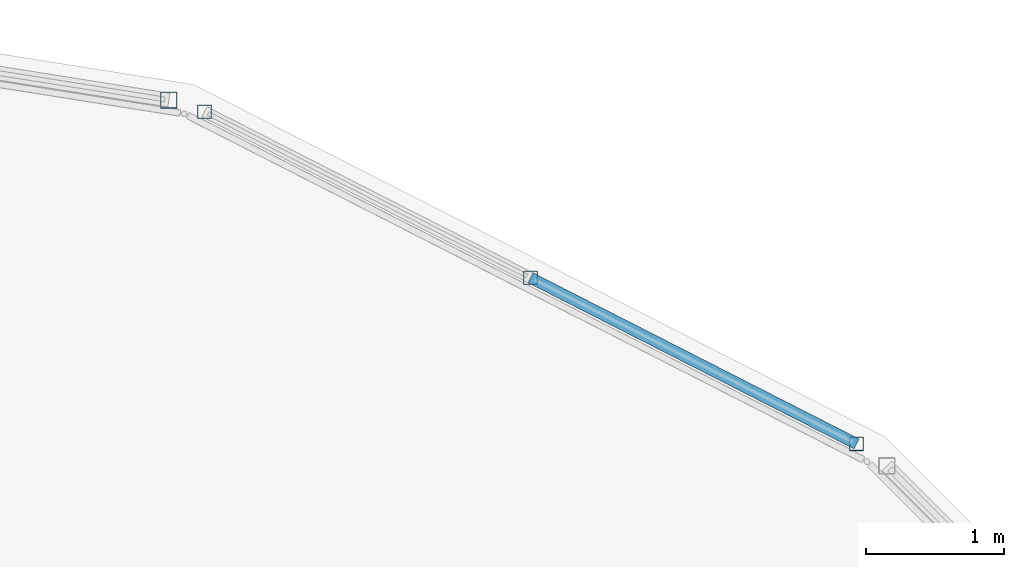
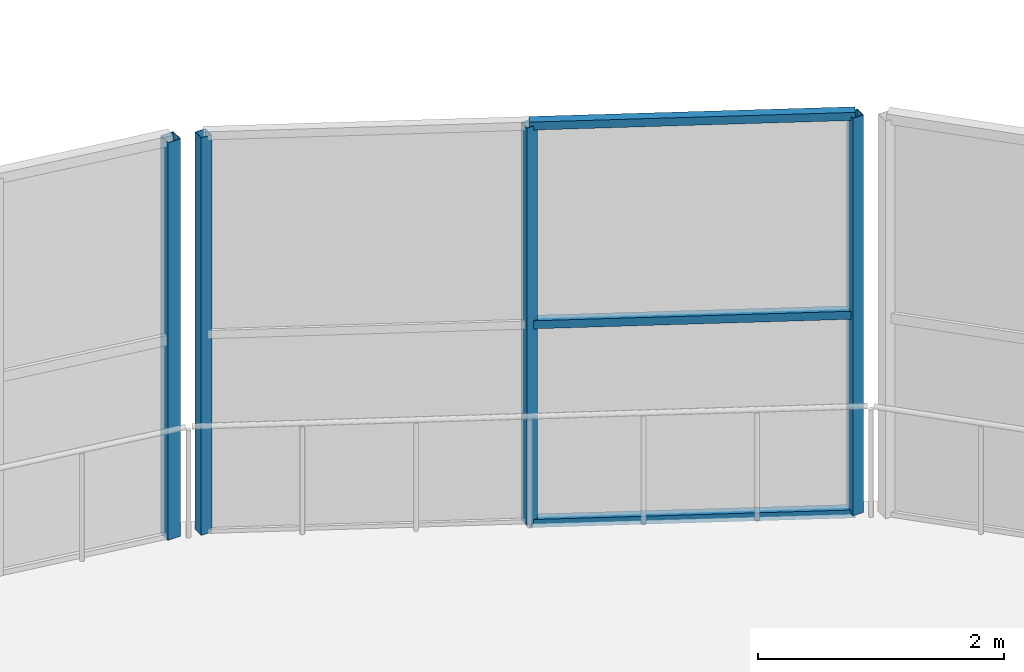
# One storey, part 161 of 217: 7 members, 2 elements without a shape of their own.
"""IFC4 building model written with IfcOpenShell, lengths in metres."""

from ifc_helpers import new_model, si_unit, direction, frame, origin, origin_2d, place, context, subcontext, project, spatial, hollow_rectangle, extrude, material, material_profile, profile_set, type_object, element, aggregate, save


model = new_model("IFC4")

# Units and contexts
model_context = context("Model", 3, precision=1e-05, world=origin(), true_north=direction((0.0, 1.0)))
body_context = subcontext(model_context, "Body", "Model", "MODEL_VIEW")
ifc_project = project(units=[si_unit("LENGTHUNIT", "METRE"), si_unit("AREAUNIT", "SQUARE_METRE"), si_unit("VOLUMEUNIT", "CUBIC_METRE"), si_unit("PLANEANGLEUNIT", "RADIAN"), si_unit("MASSUNIT", "GRAM", prefix="KILO")], contexts=[model_context])

# Site, building, storey
site_placement = place(None, origin())
site = spatial("IfcSite", under=ifc_project, at=site_placement, CompositionType="ELEMENT")
building_placement = place(site_placement, origin())
building = spatial("IfcBuilding", under=site, at=building_placement, Name="Zuvorla Pavilion Media Centre", CompositionType="ELEMENT")
storey_placement = place(building_placement, frame((0.0, 0.0, 9.60009765625)))
storey = spatial("IfcBuildingStorey", under=building, at=storey_placement, Name="L02", CompositionType="ELEMENT", Elevation=9.60009765625)

# Curtain wall, members
ifc_material_1 = material(Name="Unitised anodised aluminium and solar glass curtain wall", Category="aluminium")
curtain_wall_type_1 = type_object("IfcCurtainWallType", Name="CW-SYS-04", PredefinedType="USERDEFINED", material=ifc_material_1)
curtain_wall_1_placement = place(storey_placement, origin())
curtain_wall_1 = element("IfcCurtainWall", 1, at=curtain_wall_1_placement, inside=storey, type_object=curtain_wall_type_1, Name="L02 curtain wall CW04 10", ObjectType="CURTAIN WALL", PredefinedType="USERDEFINED")
ifc_material_2 = material(Name="Anodised aluminium 6063-T6", Category="aluminium")
ifc_material_profile_1 = material_profile(ifc_material_2, hollow_rectangle(XDim=0.10009765625, YDim=0.10009765625, WallThickness=0.00439453125, at=origin_2d()), Name="ALU MULL 100x100")
ifc_profile_set_1 = profile_set([ifc_material_profile_1], Name="Anodised aluminium 6063-T6")
member_type_1 = type_object("IfcMemberType", Name="CW-MULL-100", PredefinedType="MULLION", material=ifc_profile_set_1)
member_1_placement = place(storey_placement, frame((167.77392578125, 86.110107421875, 0.0), z_axis=(0.0, 0.0, 1.0), x_axis=(1.0, 0.0, 0.0)))
member_1 = element("IfcMember", 2, at=member_1_placement, type_object=member_type_1, Name="CW04 mullion 1", PredefinedType="MULLION", context=body_context, shape_type="SweptSolid", body=[
    extrude(hollow_rectangle(XDim=0.10009765625, YDim=0.10009765625, WallThickness=0.00439453125, at=origin_2d()), origin(), (0.0, 0.0, 1.0), 3.949951171875),
])
member_2_placement = place(storey_placement, frame((165.40771484375, 87.31591796875, 0.0), z_axis=(0.0, 0.0, 1.0), x_axis=(1.0, 0.0, 0.0)))
member_2 = element("IfcMember", 3, at=member_2_placement, type_object=member_type_1, Name="CW04 mullion 2", PredefinedType="MULLION", context=body_context, shape_type="SweptSolid", body=[
    extrude(hollow_rectangle(XDim=0.10009765625, YDim=0.10009765625, WallThickness=0.00439453125, at=origin_2d()), origin(), (0.0, 0.0, 1.0), 3.949951171875),
])
member_3_placement = place(storey_placement, frame((163.041259765625, 88.521484375, 0.0), z_axis=(0.0, 0.0, 1.0), x_axis=(1.0, 0.0, 0.0)))
member_3 = element("IfcMember", 4, at=member_3_placement, type_object=member_type_1, Name="CW04 mullion 3", PredefinedType="MULLION", context=body_context, shape_type="SweptSolid", body=[
    extrude(hollow_rectangle(XDim=0.10009765625, YDim=0.10009765625, WallThickness=0.00439453125, at=origin_2d()), origin(), (0.0, 0.0, 1.0), 3.949951171875),
])

# Curtain wall, member
curtain_wall_type_2 = type_object("IfcCurtainWallType", Name="CW-SYS-06", PredefinedType="USERDEFINED", material=ifc_material_1)
curtain_wall_2_placement = place(storey_placement, origin())
curtain_wall_2 = element("IfcCurtainWall", 5, at=curtain_wall_2_placement, inside=storey, type_object=curtain_wall_type_2, Name="L02 curtain wall CW06 11", ObjectType="CURTAIN WALL", PredefinedType="USERDEFINED")
ifc_material_profile_2 = material_profile(ifc_material_2, hollow_rectangle(XDim=0.1201171875, YDim=0.1201171875, WallThickness=0.0048828125, at=origin_2d()), Name="ALU MULL 120x120")
ifc_profile_set_2 = profile_set([ifc_material_profile_2], Name="Anodised aluminium 6063-T6")
member_type_2 = type_object("IfcMemberType", Name="CW-MULL-120", PredefinedType="MULLION", material=ifc_profile_set_2)
member_4_placement = place(storey_placement, frame((162.782470703125, 88.605712890625, 0.0), z_axis=(0.0, 0.0, 1.0), x_axis=(1.0, 0.0, 0.0)))
member_4 = element("IfcMember", 6, at=member_4_placement, type_object=member_type_2, Name="CW06 mullion 1", PredefinedType="MULLION", context=body_context, shape_type="SweptSolid", body=[
    extrude(hollow_rectangle(XDim=0.1201171875, YDim=0.1201171875, WallThickness=0.0048828125, at=origin_2d()), origin(), (0.0, 0.0, 1.0), 3.949951171875),
])
aggregate(curtain_wall_2, [member_4])

# Member
ifc_material_profile_3 = material_profile(ifc_material_2, hollow_rectangle(XDim=0.080078125, YDim=0.080078125, WallThickness=0.00390625, at=origin_2d()), Name="ALU TRAN 80x80")
ifc_profile_set_3 = profile_set([ifc_material_profile_3], Name="Anodised aluminium 6063-T6")
member_type_3 = type_object("IfcMemberType", Name="CW-TRAN-80", PredefinedType="USERDEFINED", material=ifc_profile_set_3)
member_5_placement = place(storey_placement, frame((167.77392578125, 86.110107421875, 0.0), z_axis=(-0.890981260547, 0.454040079018, 0.0), x_axis=(-0.454040079018, -0.890981260547, 0.0)))
member_5 = element("IfcMember", 7, at=member_5_placement, type_object=member_type_3, Name="CW04 transom 1.1", ObjectType="TRANSOM", PredefinedType="USERDEFINED", context=body_context, shape_type="SweptSolid", body=[
    extrude(hollow_rectangle(XDim=0.080078125, YDim=0.080078125, WallThickness=0.00390625, at=origin_2d()), origin(), (0.0, 0.0, 1.0), 2.65576171875),
])

member_6_placement = place(storey_placement, frame((167.77392578125, 86.110107421875, 1.974853515625), z_axis=(-0.890981260547, 0.454040079018, 0.0), x_axis=(-0.454040079018, -0.890981260547, 0.0)))
member_6 = element("IfcMember", 8, at=member_6_placement, type_object=member_type_3, Name="CW04 transom 1.2", ObjectType="TRANSOM", PredefinedType="USERDEFINED", context=body_context, shape_type="SweptSolid", body=[
    extrude(hollow_rectangle(XDim=0.080078125, YDim=0.080078125, WallThickness=0.00390625, at=origin_2d()), origin(), (0.0, 0.0, 1.0), 2.65576171875),
])

member_7_placement = place(storey_placement, frame((167.77392578125, 86.110107421875, 3.949951171875), z_axis=(-0.890981260547, 0.454040079018, 0.0), x_axis=(-0.454040079018, -0.890981260547, 0.0)))
member_7 = element("IfcMember", 9, at=member_7_placement, type_object=member_type_3, Name="CW04 transom 1.3", ObjectType="TRANSOM", PredefinedType="USERDEFINED", context=body_context, shape_type="SweptSolid", body=[
    extrude(hollow_rectangle(XDim=0.080078125, YDim=0.080078125, WallThickness=0.00390625, at=origin_2d()), origin(), (0.0, 0.0, 1.0), 2.65576171875),
])

aggregate(curtain_wall_1, [member_1, member_2, member_3, member_5, member_6, member_7])

save(model, "model.ifc")
